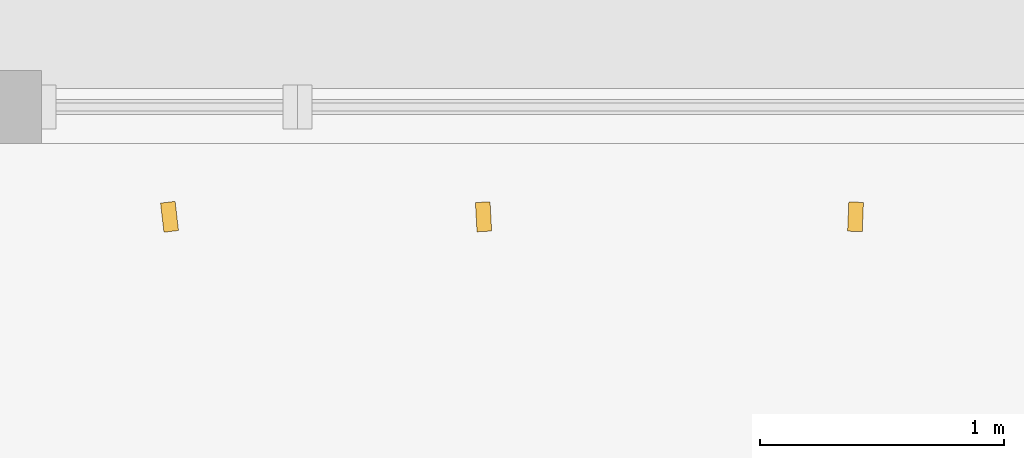
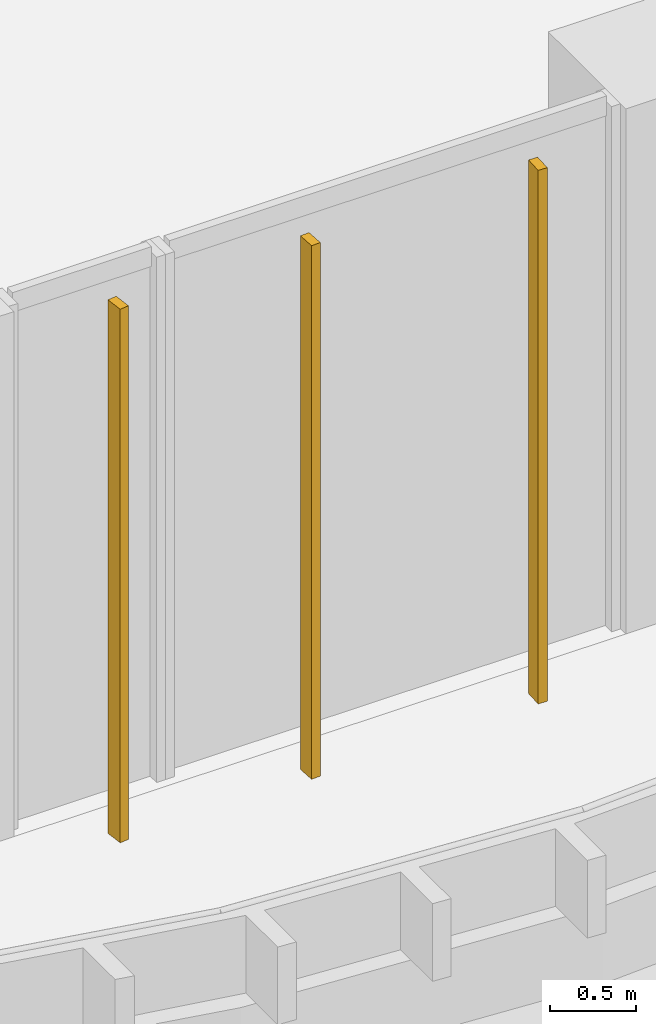
# One storey, part 20 of 26: 3 shading devices.
"""IFC4 building model written with IfcOpenShell, lengths in metres."""

from ifc_helpers import new_model, si_unit, direction, frame, origin, origin_2d, place, context, subcontext, project, spatial, rectangle, extrude, source, transform, mapped, material, material_profile, profile_set, type_object, element, save


model = new_model("IFC4")

# Units and contexts
model_context = context("Model", 3, precision=1e-05, world=origin(), true_north=direction((0.0, 1.0)))
body_context = subcontext(model_context, "Body", "Model", "MODEL_VIEW")
ifc_project = project(units=[si_unit("LENGTHUNIT", "METRE"), si_unit("AREAUNIT", "SQUARE_METRE"), si_unit("VOLUMEUNIT", "CUBIC_METRE"), si_unit("PLANEANGLEUNIT", "RADIAN"), si_unit("MASSUNIT", "GRAM", prefix="KILO")], contexts=[model_context])

# Site, building, storey
site_placement = place(None, origin())
site = spatial("IfcSite", under=ifc_project, at=site_placement, CompositionType="ELEMENT")
building_placement = place(site_placement, origin())
building = spatial("IfcBuilding", under=site, at=building_placement, Name="Kilnfold Tower and Market Hall", CompositionType="ELEMENT")
storey_placement = place(building_placement, frame((0.0, 0.0, 83.199951171875)))
storey = spatial("IfcBuildingStorey", under=building, at=storey_placement, Name="L19", CompositionType="ELEMENT", Elevation=83.199951171875)

# Shading devices
ifc_material = material(Name="Terracotta", Category="masonry")
ifc_material_profile = material_profile(ifc_material, rectangle(XDim=0.06005859375, YDim=0.1201171875, at=origin_2d()), Name="BAG 60x120")
ifc_profile_set = profile_set([ifc_material_profile], Name="Terracotta")
shading_device_type = type_object("IfcShadingDeviceType", Name="BAGUETTE", PredefinedType="USERDEFINED", material=ifc_profile_set)
shared_shape = source(origin(), body_context, "Body", "SweptSolid", [
    extrude(rectangle(XDim=0.06005859375, YDim=0.1201171875, at=origin_2d()), origin(), (0.0, 0.0, 1.0), 3.780029296875),
])
for number, where, z_axis, x_axis, name in (
    (1, (4.47509765625, -28.300048828125, 0.0), (0.0, 0.0, 1.0), (0.993367749576, 0.114980494447, 0.0), "Terracotta baguette L19 S"),
    (2, (5.762451171875, -28.300048828125, 0.0), (0.0, 0.0, 1.0), (0.998571291431, 0.053435717743, 0.0), "Terracotta baguette L19 S"),
    (3, (7.28759765625, -28.300048828125, 0.0), (0.0, 0.0, 1.0), (0.99919502538, -0.040116097219, 0.0), "Terracotta baguette L19 S"),
):
    element("IfcShadingDevice", number, at=place(storey_placement, frame(where, z_axis=z_axis, x_axis=x_axis)), inside=storey, type_object=shading_device_type, Name=name, ObjectType="BAGUETTE", PredefinedType="USERDEFINED", context=body_context, shape_type="MappedRepresentation", body=[
        mapped(shared_shape, transform((0.0, 0.0, 0.0))),
    ])

save(model, "model.ifc")
